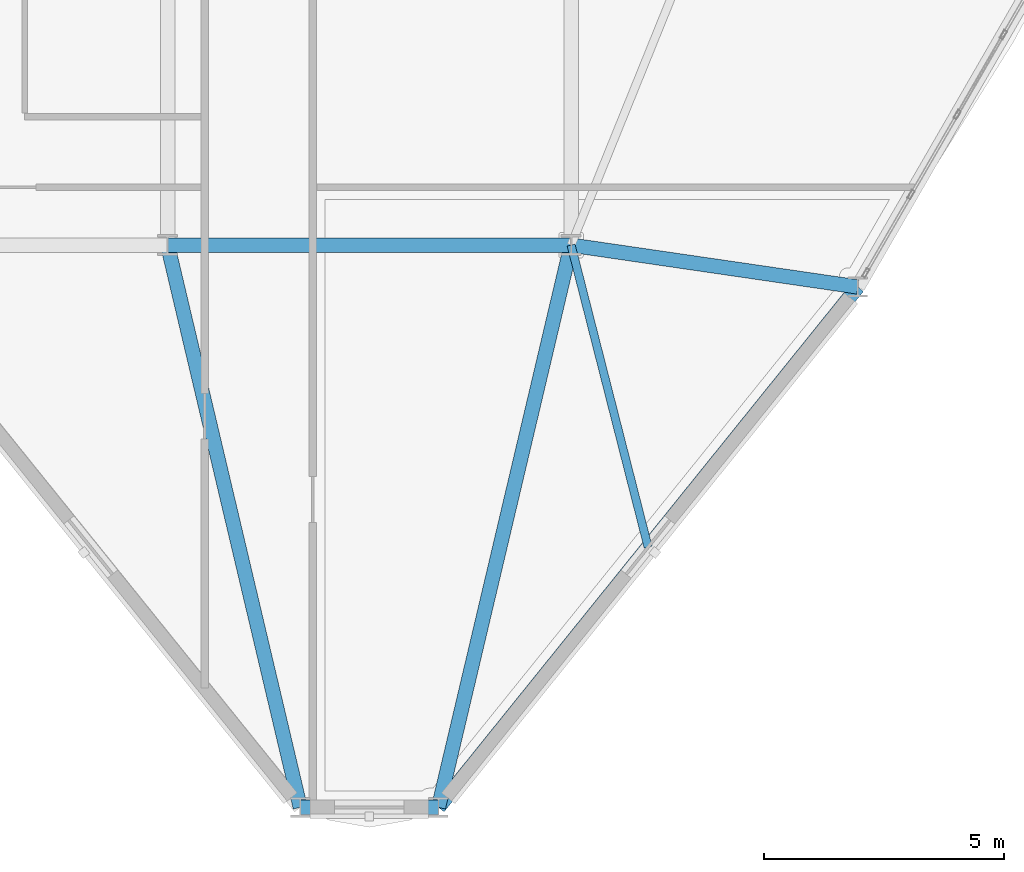
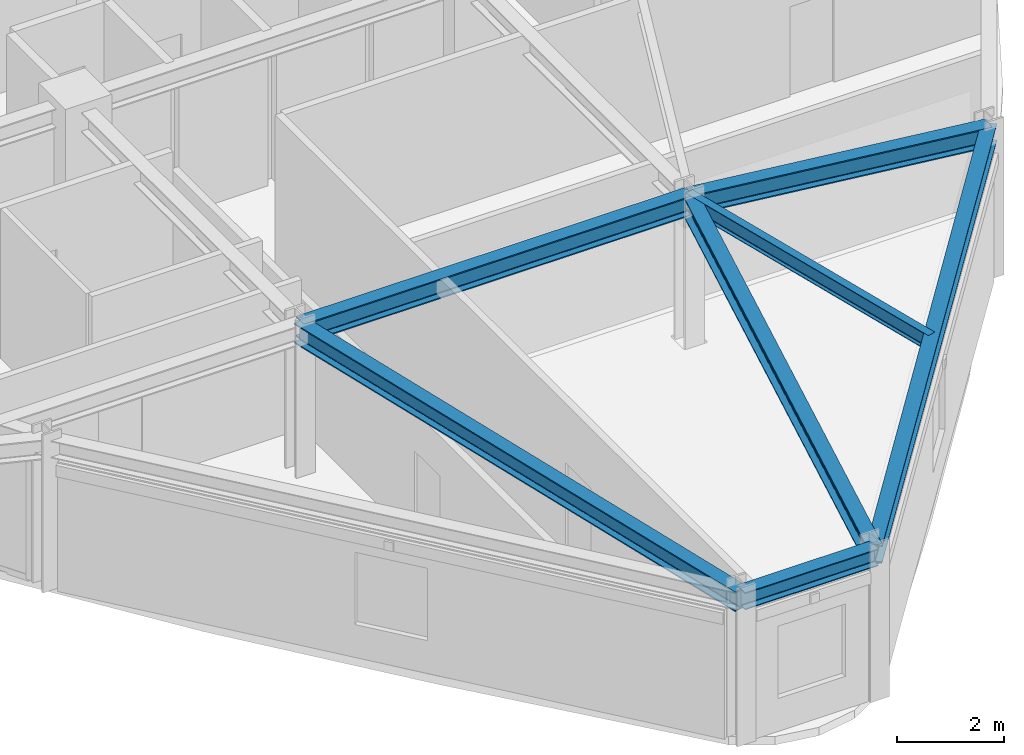
# One storey, part 3 of 16: 7 beams.
"""IFC4 building model written with IfcOpenShell, lengths in metres."""

from ifc_helpers import new_model, si_unit, derived_unit, direction, frame, origin, origin_2d, place, context, subcontext, project, spatial, i_section, extrude, source, transform, mapped, material, material_profile, profile_set, type_object, element, save


model = new_model("IFC4")

# Units and contexts
model_context = context("Model", 3, precision=1e-05, world=origin(), true_north=direction((0.0, 1.0)))
body_context = subcontext(model_context, "Body", "Model", "MODEL_VIEW")
ifc_project = project(units=[si_unit("LENGTHUNIT", "METRE"), si_unit("AREAUNIT", "SQUARE_METRE"), si_unit("VOLUMEUNIT", "CUBIC_METRE"), si_unit("PLANEANGLEUNIT", "RADIAN"), si_unit("MASSUNIT", "GRAM", prefix="KILO"), derived_unit("THERMALTRANSMITTANCEUNIT", [(si_unit("POWERUNIT", "WATT"), 1), (si_unit("LENGTHUNIT", "METRE"), -2), (si_unit("THERMODYNAMICTEMPERATUREUNIT", "KELVIN"), -1)])], contexts=[model_context])

# Site, building, storey
site_placement = place(None, origin())
site = spatial("IfcSite", under=ifc_project, at=site_placement, CompositionType="ELEMENT")
building_placement = place(site_placement, origin())
building = spatial("IfcBuilding", under=site, at=building_placement, Name="Korsvarv Bourse and Concert Hall", CompositionType="ELEMENT")
storey_placement = place(building_placement, frame((0.0, 0.0, 231.0)))
storey = spatial("IfcBuildingStorey", under=building, at=storey_placement, Name="L60", CompositionType="ELEMENT", Elevation=231.0)

# Beams
ifc_material = material(Name="Steel S355", Category="steel")
ifc_material_profile_1 = material_profile(ifc_material, i_section(OverallWidth=0.300048828125, OverallDepth=0.449951171875, WebThickness=0.013916015625, FlangeThickness=0.02587890625, FilletRadius=0.02099609375, at=origin_2d()), Name="HEB 450")
ifc_profile_set_1 = profile_set([ifc_material_profile_1], Name="Steel S355")
beam_type_1 = type_object("IfcBeamType", Name="BM-HEB450", PredefinedType="SPANDREL", material=ifc_profile_set_1)
shared_shape_1 = source(origin(), body_context, "Body", "SweptSolid", [
    extrude(i_section(OverallWidth=0.300048828125, OverallDepth=0.449951171875, WebThickness=0.013916015625, FlangeThickness=0.02587890625, FilletRadius=0.02099609375, at=origin_2d()), origin(), (0.0, 0.0, 1.0), 8.39990234375),
])
beam_1_placement = place(storey_placement, frame((36.0, 24.0, 3.18505859375), z_axis=(1.0, 0.0, 0.0), x_axis=(0.0, 1.0, 0.0)))
element("IfcBeam", 1, at=beam_1_placement, inside=storey, type_object=beam_type_1, Name="L60 beam B-08", PredefinedType="SPANDREL", context=body_context, shape_type="MappedRepresentation", body=[
    mapped(shared_shape_1, transform((0.0, 0.0, 0.0), scale=1.0)),
])
ifc_material_profile_2 = material_profile(ifc_material, i_section(OverallWidth=0.300048828125, OverallDepth=0.389892578125, WebThickness=0.010986328125, FlangeThickness=0.01904296875, FilletRadius=0.02099609375, at=origin_2d()), Name="HEA 400")
ifc_profile_set_2 = profile_set([ifc_material_profile_2], Name="Steel S355")
beam_type_2 = type_object("IfcBeamType", Name="BM-HEA400", PredefinedType="BEAM", material=ifc_profile_set_2)
shared_shape_2 = source(origin(), body_context, "Body", "SweptSolid", [
    extrude(i_section(OverallWidth=0.300048828125, OverallDepth=0.389892578125, WebThickness=0.010986328125, FlangeThickness=0.01904296875, FilletRadius=0.02099609375, at=origin_2d()), origin(), (0.0, 0.0, 1.0), 2.876708984375),
])
beam_2_placement = place(storey_placement, frame((38.76171875, 12.296142578125, 3.215087890625), z_axis=(1.0, 0.0, 0.0), x_axis=(0.0, 1.0, 0.0)))
element("IfcBeam", 2, at=beam_2_placement, inside=storey, type_object=beam_type_2, Name="L60 beam B-11", PredefinedType="BEAM", context=body_context, shape_type="MappedRepresentation", body=[
    mapped(shared_shape_2, transform((0.0, 0.0, 0.0), scale=1.0)),
])
shared_shape_3 = source(origin(), body_context, "Body", "SweptSolid", [
    extrude(i_section(OverallWidth=0.300048828125, OverallDepth=0.389892578125, WebThickness=0.010986328125, FlangeThickness=0.01904296875, FilletRadius=0.02099609375, at=origin_2d()), origin(), (0.0, 0.0, 1.0), 13.913330078125),
])
beam_3_placement = place(storey_placement, frame((41.638427734375, 12.296142578125, 3.215087890625), z_axis=(0.627451613124, 0.778655554907, 0.0), x_axis=(-0.778655554907, 0.627451613124, 0.0)))
element("IfcBeam", 3, at=beam_3_placement, inside=storey, type_object=beam_type_2, Name="L60 beam B-11", PredefinedType="BEAM", context=body_context, shape_type="MappedRepresentation", body=[
    mapped(shared_shape_3, transform((0.0, 0.0, 0.0), scale=1.0)),
])
shared_shape_4 = source(origin(), body_context, "Body", "SweptSolid", [
    extrude(i_section(OverallWidth=0.300048828125, OverallDepth=0.449951171875, WebThickness=0.013916015625, FlangeThickness=0.02587890625, FilletRadius=0.02099609375, at=origin_2d()), origin(), (0.0, 0.0, 1.0), 12.025390625),
])
beam_4_placement = place(storey_placement, frame((38.76171875, 12.296142578125, 3.18505859375), z_axis=(-0.229659405453, 0.973271060644, 0.0), x_axis=(-0.973271060644, -0.229659405453, 0.0)))
element("IfcBeam", 4, at=beam_4_placement, inside=storey, type_object=beam_type_1, Name="L60 beam B-08", PredefinedType="SPANDREL", context=body_context, shape_type="MappedRepresentation", body=[
    mapped(shared_shape_4, transform((0.0, 0.0, 0.0), scale=1.0)),
])
shared_shape_5 = source(origin(), body_context, "Body", "SweptSolid", [
    extrude(i_section(OverallWidth=0.300048828125, OverallDepth=0.449951171875, WebThickness=0.013916015625, FlangeThickness=0.02587890625, FilletRadius=0.02099609375, at=origin_2d()), origin(), (0.0, 0.0, 1.0), 12.025146484375),
])
beam_5_placement = place(storey_placement, frame((41.638427734375, 12.296142578125, 3.18505859375), z_axis=(0.229640173849, 0.973275598458, 0.0), x_axis=(-0.973275598458, 0.229640173849, 0.0)))
element("IfcBeam", 5, at=beam_5_placement, inside=storey, type_object=beam_type_1, Name="L60 beam B-08", PredefinedType="SPANDREL", context=body_context, shape_type="MappedRepresentation", body=[
    mapped(shared_shape_5, transform((0.0, 0.0, 0.0), scale=1.0)),
])
shared_shape_6 = source(origin(), body_context, "Body", "SweptSolid", [
    extrude(i_section(OverallWidth=0.300048828125, OverallDepth=0.449951171875, WebThickness=0.013916015625, FlangeThickness=0.02587890625, FilletRadius=0.02099609375, at=origin_2d()), origin(), (0.0, 0.0, 1.0), 6.031494140625),
])
beam_6_placement = place(storey_placement, frame((50.368408203125, 23.1298828125, 3.18505859375), z_axis=(-0.98953984365, 0.144259827495, 0.0), x_axis=(-0.144259827495, -0.98953984365, 0.0)))
element("IfcBeam", 6, at=beam_6_placement, inside=storey, type_object=beam_type_1, Name="L60 beam B-08", PredefinedType="SPANDREL", context=body_context, shape_type="MappedRepresentation", body=[
    mapped(shared_shape_6, transform((0.0, 0.0, 0.0), scale=1.0)),
])
ifc_material_profile_3 = material_profile(ifc_material, i_section(OverallWidth=0.169921875, OverallDepth=0.360107421875, WebThickness=0.008056640625, FlangeThickness=0.0126953125, FilletRadius=0.01806640625, at=origin_2d()), Name="IPE 360")
ifc_profile_set_3 = profile_set([ifc_material_profile_3], Name="Steel S355")
beam_type_3 = type_object("IfcBeamType", Name="BM-IPE360", PredefinedType="JOIST", material=ifc_profile_set_3)
shared_shape_7 = source(origin(), body_context, "Body", "SweptSolid", [
    extrude(i_section(OverallWidth=0.169921875, OverallDepth=0.360107421875, WebThickness=0.008056640625, FlangeThickness=0.0126953125, FilletRadius=0.01806640625, at=origin_2d()), origin(), (0.0, 0.0, 1.0), 6.48828125),
])
beam_7_placement = place(storey_placement, frame((46.00341796875, 17.712890625, 3.22998046875), z_axis=(-0.247136716269, 0.968980620793, 0.0), x_axis=(-0.968980620793, -0.247136716269, 0.0)))
element("IfcBeam", 7, at=beam_7_placement, inside=storey, type_object=beam_type_3, Name="L60 beam J-06", PredefinedType="JOIST", context=body_context, shape_type="MappedRepresentation", body=[
    mapped(shared_shape_7, transform((0.0, 0.0, 0.0), scale=1.0)),
])

save(model, "model.ifc")
